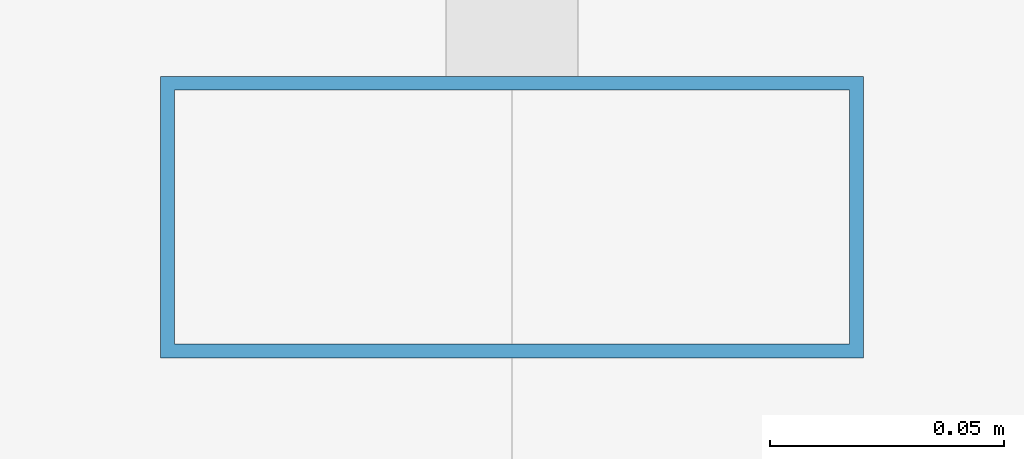
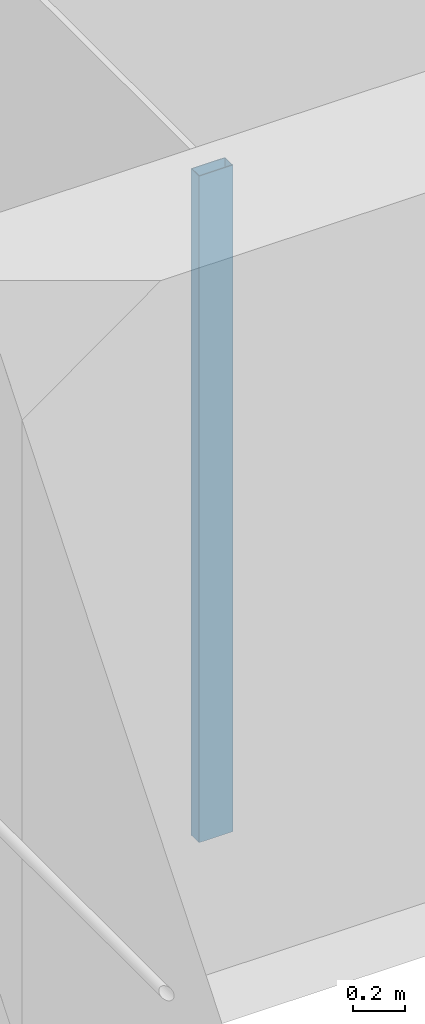
# One storey, part 11 of 46: 1 member, 1 element without a shape of its own.
"""IFC4 building model written with IfcOpenShell, lengths in metres."""

from ifc_helpers import new_model, si_unit, direction, frame, origin, origin_2d, place, context, subcontext, project, spatial, hollow_rectangle, extrude, material, material_profile, profile_set, type_object, element, aggregate, save


model = new_model("IFC4")

# Units and contexts
model_context = context("Model", 3, precision=1e-05, world=origin(), true_north=direction((0.0, 1.0)))
body_context = subcontext(model_context, "Body", "Model", "MODEL_VIEW")
ifc_project = project(units=[si_unit("LENGTHUNIT", "METRE"), si_unit("AREAUNIT", "SQUARE_METRE"), si_unit("VOLUMEUNIT", "CUBIC_METRE"), si_unit("PLANEANGLEUNIT", "RADIAN"), si_unit("MASSUNIT", "GRAM", prefix="KILO")], contexts=[model_context])

# Site, building, storey
site_placement = place(None, origin())
site = spatial("IfcSite", under=ifc_project, at=site_placement, CompositionType="ELEMENT")
building_placement = place(site_placement, origin())
building = spatial("IfcBuilding", under=site, at=building_placement, Name="Altepetl Exchange Towers", CompositionType="ELEMENT")
storey_placement = place(building_placement, frame((0.0, 0.0, 135.199951171875)))
storey = spatial("IfcBuildingStorey", under=building, at=storey_placement, Name="L33", CompositionType="ELEMENT", Elevation=135.199951171875)

# Curtain wall, member
ifc_material_1 = material(Name="Aluminium 6063-T6 glazing", Category="aluminium")
curtain_wall_type = type_object("IfcCurtainWallType", Name="Loggia glazing system", PredefinedType="NOTDEFINED", material=ifc_material_1)
curtain_wall_placement = place(storey_placement, origin())
curtain_wall = element("IfcCurtainWall", 1, at=curtain_wall_placement, inside=storey, type_object=curtain_wall_type, Name="CW1 run", PredefinedType="NOTDEFINED")
ifc_material_2 = material(Name="Aluminium 6063-T6", Category="aluminium")
ifc_material_profile = material_profile(ifc_material_2, hollow_rectangle(XDim=0.06005859375, YDim=0.14990234375, WallThickness=0.0029296875, at=origin_2d()), Name="Mullion 60x150 aluminium")
ifc_profile_set = profile_set([ifc_material_profile], Name="Aluminium 6063-T6")
member_type = type_object("IfcMemberType", Name="Mullion 60x150 aluminium", PredefinedType="MULLION", material=ifc_profile_set)
member_placement = place(storey_placement, frame((42.5, 58.60498046875, 0.0), z_axis=(0.0, 0.0, 1.0), x_axis=(0.0, -1.0, 0.0)))
member = element("IfcMember", 2, at=member_placement, type_object=member_type, Name="MU1 mullion", PredefinedType="MULLION", context=body_context, shape_type="SweptSolid", body=[
    extrude(hollow_rectangle(XDim=0.06005859375, YDim=0.14990234375, WallThickness=0.0029296875, at=origin_2d()), origin(), (0.0, 0.0, 1.0), 3.10009765625),
])
aggregate(curtain_wall, [member])

save(model, "model.ifc")
